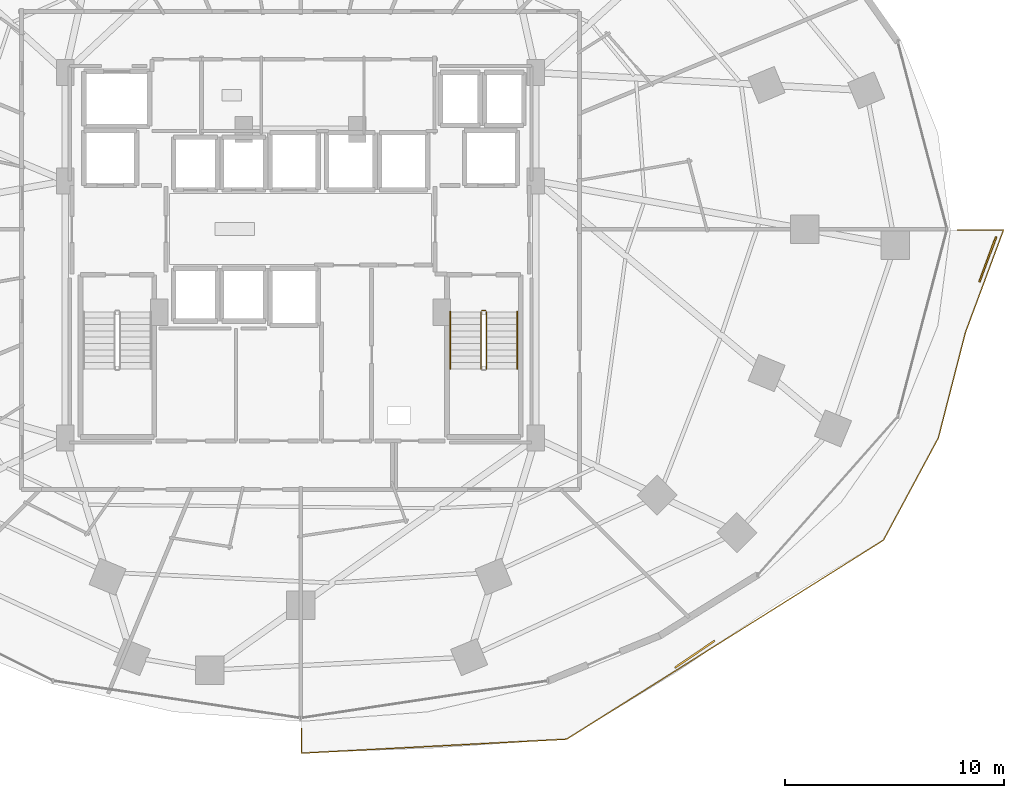
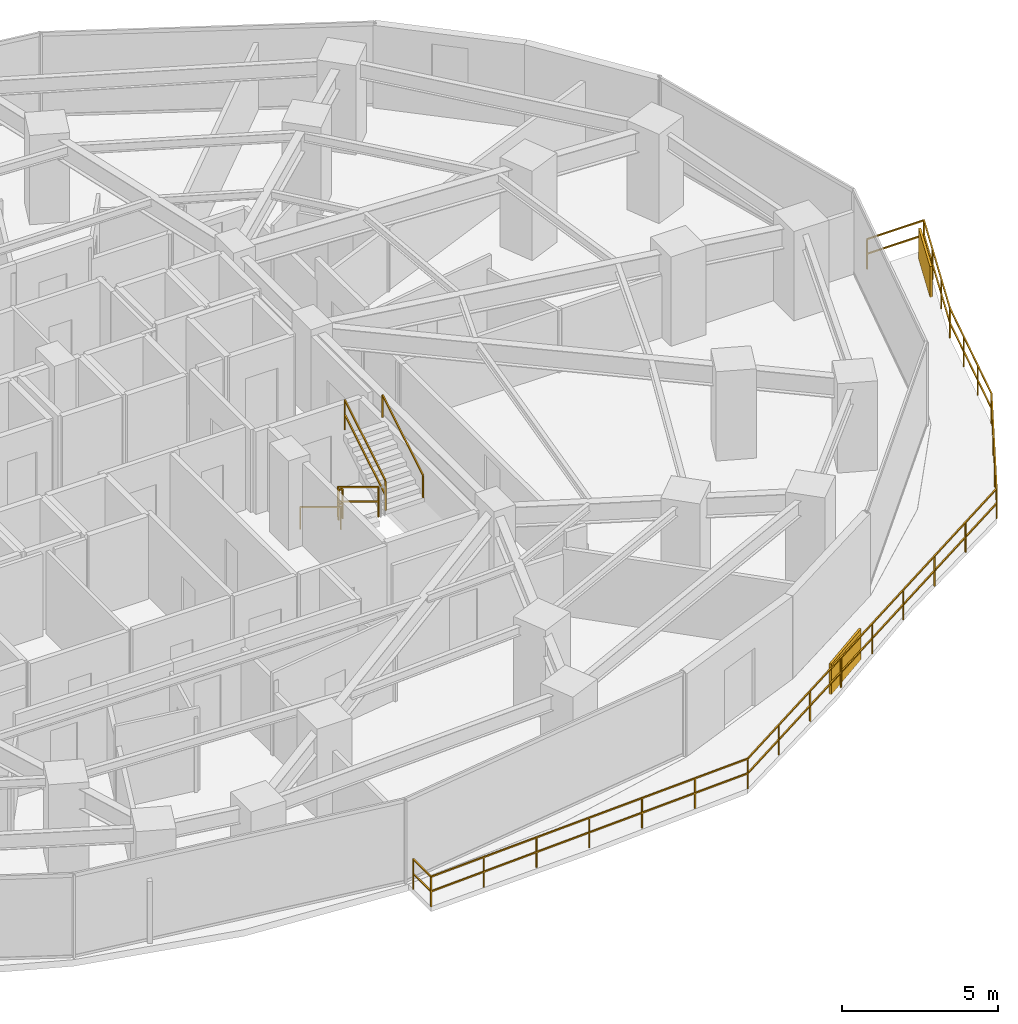
# One storey, part 32 of 34: 7 railings, 2 shading devices.
"""IFC4 building model written with IfcOpenShell, lengths in metres."""

from ifc_helpers import new_model, si_unit, direction, frame, origin, origin_2d, place, context, subcontext, project, spatial, rectangle, extrude, material, type_object, element, save


model = new_model("IFC4")

# Units and contexts
model_context = context("Model", 3, precision=1e-05, world=origin(), true_north=direction((0.0, 1.0)))
body_context = subcontext(model_context, "Body", "Model", "MODEL_VIEW")
ifc_project = project(units=[si_unit("LENGTHUNIT", "METRE"), si_unit("AREAUNIT", "SQUARE_METRE"), si_unit("VOLUMEUNIT", "CUBIC_METRE"), si_unit("PLANEANGLEUNIT", "RADIAN"), si_unit("MASSUNIT", "GRAM", prefix="KILO")], contexts=[model_context])

# Site, building, storey
site_placement = place(None, origin())
site = spatial("IfcSite", under=ifc_project, at=site_placement, CompositionType="ELEMENT")
building_placement = place(site_placement, origin())
building = spatial("IfcBuilding", under=site, at=building_placement, Name="Vorneva Point Tower", CompositionType="ELEMENT")
storey_placement = place(building_placement, frame((0.0, 0.0, 31.0)))
storey = spatial("IfcBuildingStorey", under=building, at=storey_placement, Name="L07", CompositionType="ELEMENT", Elevation=31.0)

# Railings
ifc_material_1 = material(Name="Pale anodised aluminium", Category="aluminium")
railing_type_1 = type_object("IfcRailingType", Name="RL-BAL-1200", PredefinedType="BALUSTRADE", material=ifc_material_1)
railing_1_placement = place(storey_placement, frame((68.389892578125, 21.279541015625, 0.0)))
element("IfcRailing", 1, at=railing_1_placement, inside=storey, type_object=railing_type_1, Name="L07 Wave Balcony Balustrade SE.1", PredefinedType="BALUSTRADE", context=body_context, shape_type="SweptSolid", body=[
    extrude(rectangle(XDim=0.048095703125, YDim=0.048095703125, at=origin_2d()), frame((0.0, 0.0, 1.17578125), z_axis=(0.348512507877, 0.93730412986, 0.0), x_axis=(-0.93730412986, 0.348512507877, 0.0)), (0.0, 0.0, 1.0), 4.98291015625),
    extrude(rectangle(XDim=0.048095703125, YDim=0.048095703125, at=origin_2d()), frame((0.0, 0.0, 0.60009765625), z_axis=(0.348512507877, 0.93730412986, 0.0), x_axis=(-0.93730412986, 0.348512507877, 0.0)), (0.0, 0.0, 1.0), 4.98291015625),
    extrude(rectangle(XDim=0.048095703125, YDim=0.048095703125, at=origin_2d()), frame((1.736572265625, 4.67041015625, 1.17578125), z_axis=(-1.0, 0.0, 0.0), x_axis=(0.0, -1.0, 0.0)), (0.0, 0.0, 1.0), 2.1103515625),
    extrude(rectangle(XDim=0.048095703125, YDim=0.048095703125, at=origin_2d()), frame((1.736572265625, 4.67041015625, 0.60009765625), z_axis=(-1.0, 0.0, 0.0), x_axis=(0.0, -1.0, 0.0)), (0.0, 0.0, 1.0), 2.1103515625),
    extrude(rectangle(XDim=0.0419921875, YDim=0.0419921875, at=origin_2d()), origin(), (0.0, 0.0, 1.0), 1.15185546875),
    extrude(rectangle(XDim=0.0419921875, YDim=0.0419921875, at=origin_2d()), frame((0.578857421875, 1.556884765625, 0.0)), (0.0, 0.0, 1.0), 1.15185546875),
    extrude(rectangle(XDim=0.0419921875, YDim=0.0419921875, at=origin_2d()), frame((1.15771484375, 3.113525390625, 0.0)), (0.0, 0.0, 1.0), 1.15185546875),
    extrude(rectangle(XDim=0.0419921875, YDim=0.0419921875, at=origin_2d()), frame((1.736572265625, 4.67041015625, 0.0)), (0.0, 0.0, 1.0), 1.15185546875),
    extrude(rectangle(XDim=0.0419921875, YDim=0.0419921875, at=origin_2d()), frame((-0.373779296875, 4.67041015625, 0.0)), (0.0, 0.0, 1.0), 1.15185546875),
])
railing_2_placement = place(storey_placement, frame((38.050048828125, 3.182861328125, 0.0)))
element("IfcRailing", 2, at=railing_2_placement, inside=storey, type_object=railing_type_1, Name="L07 Wave Balcony Balustrade SE.2", PredefinedType="BALUSTRADE", context=body_context, shape_type="SweptSolid", body=[
    extrude(rectangle(XDim=0.048095703125, YDim=0.048095703125, at=origin_2d()), frame((0.0, 0.0, 1.17578125), z_axis=(0.0, -1.0, 0.0), x_axis=(1.0, 0.0, 0.0)), (0.0, 0.0, 1.0), 1.135986328125),
    extrude(rectangle(XDim=0.048095703125, YDim=0.048095703125, at=origin_2d()), frame((0.0, 0.0, 0.60009765625), z_axis=(0.0, -1.0, 0.0), x_axis=(1.0, 0.0, 0.0)), (0.0, 0.0, 1.0), 1.135986328125),
    extrude(rectangle(XDim=0.048095703125, YDim=0.048095703125, at=origin_2d()), frame((0.0, -1.135986328125, 1.17578125), z_axis=(0.998617273094, 0.052569400594, 0.0), x_axis=(-0.052569400594, 0.998617273094, 0.0)), (0.0, 0.0, 1.0), 12.1259765625),
    extrude(rectangle(XDim=0.048095703125, YDim=0.048095703125, at=origin_2d()), frame((0.0, -1.135986328125, 0.60009765625), z_axis=(0.998617273094, 0.052569400594, 0.0), x_axis=(-0.052569400594, 0.998617273094, 0.0)), (0.0, 0.0, 1.0), 12.1259765625),
    extrude(rectangle(XDim=0.048095703125, YDim=0.048095703125, at=origin_2d()), frame((12.109130859375, -0.49853515625, 1.17578125), z_axis=(0.846791603268, 0.531924788513, 0.0), x_axis=(-0.531924788513, 0.846791603268, 0.0)), (0.0, 0.0, 1.0), 17.103271484375),
    extrude(rectangle(XDim=0.048095703125, YDim=0.048095703125, at=origin_2d()), frame((12.109130859375, -0.49853515625, 0.60009765625), z_axis=(0.846791603268, 0.531924788513, 0.0), x_axis=(-0.531924788513, 0.846791603268, 0.0)), (0.0, 0.0, 1.0), 17.103271484375),
    extrude(rectangle(XDim=0.048095703125, YDim=0.048095703125, at=origin_2d()), frame((26.592041015625, 8.59912109375, 1.17578125), z_axis=(0.472973767155, 0.881076509495, 0.0), x_axis=(-0.881076509495, 0.472973767155, 0.0)), (0.0, 0.0, 1.0), 5.302734375),
    extrude(rectangle(XDim=0.048095703125, YDim=0.048095703125, at=origin_2d()), frame((26.592041015625, 8.59912109375, 0.60009765625), z_axis=(0.472973767155, 0.881076509495, 0.0), x_axis=(-0.881076509495, 0.472973767155, 0.0)), (0.0, 0.0, 1.0), 5.302734375),
    extrude(rectangle(XDim=0.048095703125, YDim=0.048095703125, at=origin_2d()), frame((29.10009765625, 13.271240234375, 1.17578125), z_axis=(0.248837480299, 0.968545253666, 0.0), x_axis=(-0.968545253666, 0.248837480299, 0.0)), (0.0, 0.0, 1.0), 4.982177734375),
    extrude(rectangle(XDim=0.048095703125, YDim=0.048095703125, at=origin_2d()), frame((29.10009765625, 13.271240234375, 0.60009765625), z_axis=(0.248837480299, 0.968545253666, 0.0), x_axis=(-0.968545253666, 0.248837480299, 0.0)), (0.0, 0.0, 1.0), 4.982177734375),
    extrude(rectangle(XDim=0.0419921875, YDim=0.0419921875, at=origin_2d()), origin(), (0.0, 0.0, 1.0), 1.15185546875),
    extrude(rectangle(XDim=0.0419921875, YDim=0.0419921875, at=origin_2d()), frame((0.0, -1.135986328125, 0.0)), (0.0, 0.0, 1.0), 1.15185546875),
    extrude(rectangle(XDim=0.0419921875, YDim=0.0419921875, at=origin_2d()), frame((2.01806640625, -1.02978515625, 0.0)), (0.0, 0.0, 1.0), 1.15185546875),
    extrude(rectangle(XDim=0.0419921875, YDim=0.0419921875, at=origin_2d()), frame((4.036376953125, -0.923583984375, 0.0)), (0.0, 0.0, 1.0), 1.15185546875),
    extrude(rectangle(XDim=0.0419921875, YDim=0.0419921875, at=origin_2d()), frame((6.0546875, -0.8173828125, 0.0)), (0.0, 0.0, 1.0), 1.15185546875),
    extrude(rectangle(XDim=0.0419921875, YDim=0.0419921875, at=origin_2d()), frame((8.07275390625, -0.7109375, 0.0)), (0.0, 0.0, 1.0), 1.15185546875),
    extrude(rectangle(XDim=0.0419921875, YDim=0.0419921875, at=origin_2d()), frame((10.0908203125, -0.604736328125, 0.0)), (0.0, 0.0, 1.0), 1.15185546875),
    extrude(rectangle(XDim=0.0419921875, YDim=0.0419921875, at=origin_2d()), frame((12.109130859375, -0.49853515625, 0.0)), (0.0, 0.0, 1.0), 1.15185546875),
    extrude(rectangle(XDim=0.0419921875, YDim=0.0419921875, at=origin_2d()), frame((13.91943359375, 0.638671875, 0.0)), (0.0, 0.0, 1.0), 1.15185546875),
    extrude(rectangle(XDim=0.0419921875, YDim=0.0419921875, at=origin_2d()), frame((15.72998046875, 1.77587890625, 0.0)), (0.0, 0.0, 1.0), 1.15185546875),
    extrude(rectangle(XDim=0.0419921875, YDim=0.0419921875, at=origin_2d()), frame((17.540283203125, 2.9130859375, 0.0)), (0.0, 0.0, 1.0), 1.15185546875),
    extrude(rectangle(XDim=0.0419921875, YDim=0.0419921875, at=origin_2d()), frame((19.3505859375, 4.05029296875, 0.0)), (0.0, 0.0, 1.0), 1.15185546875),
    extrude(rectangle(XDim=0.0419921875, YDim=0.0419921875, at=origin_2d()), frame((21.160888671875, 5.1875, 0.0)), (0.0, 0.0, 1.0), 1.15185546875),
    extrude(rectangle(XDim=0.0419921875, YDim=0.0419921875, at=origin_2d()), frame((22.97119140625, 6.32470703125, 0.0)), (0.0, 0.0, 1.0), 1.15185546875),
    extrude(rectangle(XDim=0.0419921875, YDim=0.0419921875, at=origin_2d()), frame((24.78173828125, 7.4619140625, 0.0)), (0.0, 0.0, 1.0), 1.15185546875),
    extrude(rectangle(XDim=0.0419921875, YDim=0.0419921875, at=origin_2d()), frame((26.592041015625, 8.59912109375, 0.0)), (0.0, 0.0, 1.0), 1.15185546875),
    extrude(rectangle(XDim=0.0419921875, YDim=0.0419921875, at=origin_2d()), frame((27.427978515625, 10.156494140625, 0.0)), (0.0, 0.0, 1.0), 1.15185546875),
    extrude(rectangle(XDim=0.0419921875, YDim=0.0419921875, at=origin_2d()), frame((28.26416015625, 11.7138671875, 0.0)), (0.0, 0.0, 1.0), 1.15185546875),
    extrude(rectangle(XDim=0.0419921875, YDim=0.0419921875, at=origin_2d()), frame((29.10009765625, 13.271240234375, 0.0)), (0.0, 0.0, 1.0), 1.15185546875),
    extrude(rectangle(XDim=0.0419921875, YDim=0.0419921875, at=origin_2d()), frame((29.513427734375, 14.879638671875, 0.0)), (0.0, 0.0, 1.0), 1.15185546875),
    extrude(rectangle(XDim=0.0419921875, YDim=0.0419921875, at=origin_2d()), frame((29.926513671875, 16.48828125, 0.0)), (0.0, 0.0, 1.0), 1.15185546875),
    extrude(rectangle(XDim=0.0419921875, YDim=0.0419921875, at=origin_2d()), frame((30.33984375, 18.0966796875, 0.0)), (0.0, 0.0, 1.0), 1.15185546875),
])
ifc_material_2 = material(Name="Brushed stainless steel S304", Category="steel")
railing_type_2 = type_object("IfcRailingType", Name="RL-HND-920", PredefinedType="HANDRAIL", material=ifc_material_2)
railing_3_placement = place(storey_placement, frame((44.85009765625, 22.219970703125, 0.175048828125)))
element("IfcRailing", 3, at=railing_3_placement, inside=storey, type_object=railing_type_2, Name="L07 ST2 stair handrail 1", PredefinedType="HANDRAIL", context=body_context, shape_type="SweptSolid", body=[
    extrude(rectangle(XDim=0.048095703125, YDim=0.048095703125, at=origin_2d()), frame((0.0, 0.0, 0.8759765625), z_axis=(0.0, -0.85618277418, 0.516673066065), x_axis=(1.0, 0.0, 0.0)), (0.0, 0.0, 1.0), 3.04833984375),
    extrude(rectangle(XDim=0.0419921875, YDim=0.0419921875, at=origin_2d()), origin(), (0.0, 0.0, 1.0), 0.851806640625),
    extrude(rectangle(XDim=0.0419921875, YDim=0.0419921875, at=origin_2d()), frame((0.0, -2.60986328125, 1.574951171875)), (0.0, 0.0, 1.0), 0.851806640625),
])
railing_4_placement = place(storey_placement, frame((47.89990234375, 19.610107421875, 1.925048828125)))
element("IfcRailing", 4, at=railing_4_placement, inside=storey, type_object=railing_type_2, Name="L07 ST2 stair handrail 2", PredefinedType="HANDRAIL", context=body_context, shape_type="SweptSolid", body=[
    extrude(rectangle(XDim=0.048095703125, YDim=0.048095703125, at=origin_2d()), frame((0.0, 0.0, 0.8759765625), z_axis=(0.0, 0.85618277418, 0.516673066065), x_axis=(-1.0, 0.0, 0.0)), (0.0, 0.0, 1.0), 3.04833984375),
    extrude(rectangle(XDim=0.0419921875, YDim=0.0419921875, at=origin_2d()), origin(), (0.0, 0.0, 1.0), 0.851806640625),
    extrude(rectangle(XDim=0.0419921875, YDim=0.0419921875, at=origin_2d()), frame((0.0, 2.60986328125, 1.574951171875)), (0.0, 0.0, 1.0), 0.851806640625),
])
railing_type_3 = type_object("IfcRailingType", Name="RL-STG-1100", PredefinedType="GUARDRAIL", material=ifc_material_2)
railing_5_placement = place(storey_placement, frame((46.25, 22.219970703125, 0.175048828125)))
element("IfcRailing", 5, at=railing_5_placement, inside=storey, type_object=railing_type_3, Name="L07 ST2 stair guard 1", PredefinedType="GUARDRAIL", context=body_context, shape_type="SweptSolid", body=[
    extrude(rectangle(XDim=0.048095703125, YDim=0.048095703125, at=origin_2d()), frame((0.0, 0.0, 1.17578125), z_axis=(0.0, -0.85618277418, 0.516673066065), x_axis=(1.0, 0.0, 0.0)), (0.0, 0.0, 1.0), 3.04833984375),
    extrude(rectangle(XDim=0.048095703125, YDim=0.048095703125, at=origin_2d()), frame((0.0, 0.0, 0.60009765625), z_axis=(0.0, -0.85618277418, 0.516673066065), x_axis=(1.0, 0.0, 0.0)), (0.0, 0.0, 1.0), 3.04833984375),
    extrude(rectangle(XDim=0.0419921875, YDim=0.0419921875, at=origin_2d()), origin(), (0.0, 0.0, 1.0), 1.15185546875),
    extrude(rectangle(XDim=0.0419921875, YDim=0.0419921875, at=origin_2d()), frame((0.0, -2.60986328125, 1.574951171875)), (0.0, 0.0, 1.0), 1.15185546875),
])
railing_6_placement = place(storey_placement, frame((46.5, 19.610107421875, 1.925048828125)))
element("IfcRailing", 6, at=railing_6_placement, inside=storey, type_object=railing_type_3, Name="L07 ST2 stair guard 3", PredefinedType="GUARDRAIL", context=body_context, shape_type="SweptSolid", body=[
    extrude(rectangle(XDim=0.048095703125, YDim=0.048095703125, at=origin_2d()), frame((0.0, 0.0, 1.17578125), z_axis=(0.0, 0.85618277418, 0.516673066065), x_axis=(-1.0, 0.0, 0.0)), (0.0, 0.0, 1.0), 3.04833984375),
    extrude(rectangle(XDim=0.048095703125, YDim=0.048095703125, at=origin_2d()), frame((0.0, 0.0, 0.60009765625), z_axis=(0.0, 0.85618277418, 0.516673066065), x_axis=(-1.0, 0.0, 0.0)), (0.0, 0.0, 1.0), 3.04833984375),
    extrude(rectangle(XDim=0.0419921875, YDim=0.0419921875, at=origin_2d()), origin(), (0.0, 0.0, 1.0), 1.15185546875),
    extrude(rectangle(XDim=0.0419921875, YDim=0.0419921875, at=origin_2d()), frame((0.0, 2.60986328125, 1.574951171875)), (0.0, 0.0, 1.0), 1.15185546875),
])
railing_7_placement = place(storey_placement, frame((46.300048828125, 22.27001953125, 0.0)))
element("IfcRailing", 7, at=railing_7_placement, inside=storey, type_object=railing_type_3, Name="L07 ST2 stair guard 4", PredefinedType="GUARDRAIL", context=body_context, shape_type="SweptSolid", body=[
    extrude(rectangle(XDim=0.048095703125, YDim=0.048095703125, at=origin_2d()), frame((0.0, 0.0, 1.17578125), z_axis=(1.0, 0.0, 0.0), x_axis=(0.0, 1.0, 0.0)), (0.0, 0.0, 1.0), 0.14990234375),
    extrude(rectangle(XDim=0.048095703125, YDim=0.048095703125, at=origin_2d()), frame((0.0, 0.0, 0.60009765625), z_axis=(1.0, 0.0, 0.0), x_axis=(0.0, 1.0, 0.0)), (0.0, 0.0, 1.0), 0.14990234375),
    extrude(rectangle(XDim=0.0419921875, YDim=0.0419921875, at=origin_2d()), origin(), (0.0, 0.0, 1.0), 1.15185546875),
    extrude(rectangle(XDim=0.0419921875, YDim=0.0419921875, at=origin_2d()), frame((0.14990234375, 0.0, 0.0)), (0.0, 0.0, 1.0), 1.15185546875),
])

# Shading devices
shading_device_type = type_object("IfcShadingDeviceType", Name="SHD-JAL-1200", PredefinedType="JALOUSIE", material=ifc_material_1)
for number, where, z_axis, x_axis, name in (
    (8, (69.406005859375, 24.61328125, -0.02001953125), (0.0, 0.0, 1.0), (0.348490252711, 0.937312404572, 0.0), "L07 Balcony Vertical-Greenery Planter Screen SE.1"),
    (9, (56.01416015625, 6.56640625, -0.02001953125), (0.0, 0.0, 1.0), (0.827100194182, 0.562054506951, 0.0), "L07 Balcony Vertical-Greenery Planter Screen SE.2"),
):
    element("IfcShadingDevice", number, at=place(storey_placement, frame(where, z_axis=z_axis, x_axis=x_axis)), inside=storey, type_object=shading_device_type, Name=name, PredefinedType="JALOUSIE", context=body_context, shape_type="SweptSolid", body=[
        extrude(rectangle(XDim=2.199951171875, YDim=0.080078125, at=origin_2d()), origin(), (0.0, 0.0, 1.0), 1.199951171875),
    ])

save(model, "model.ifc")
